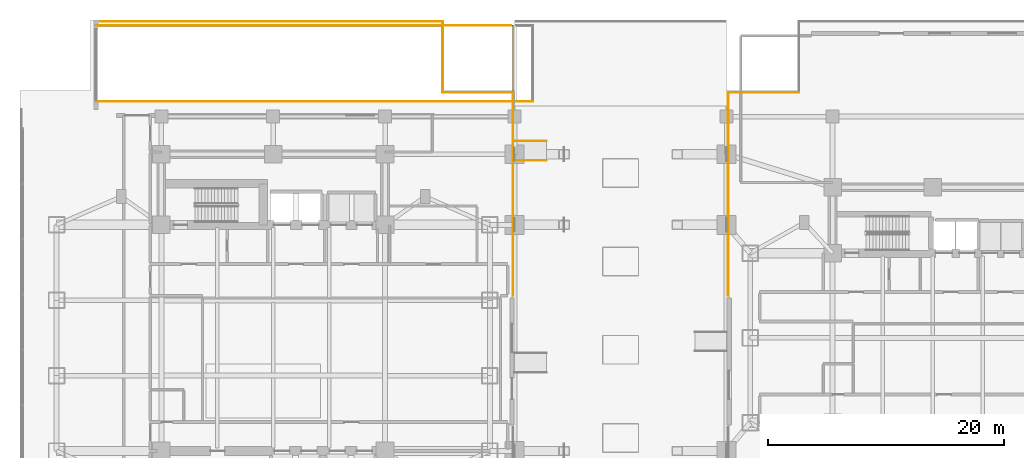
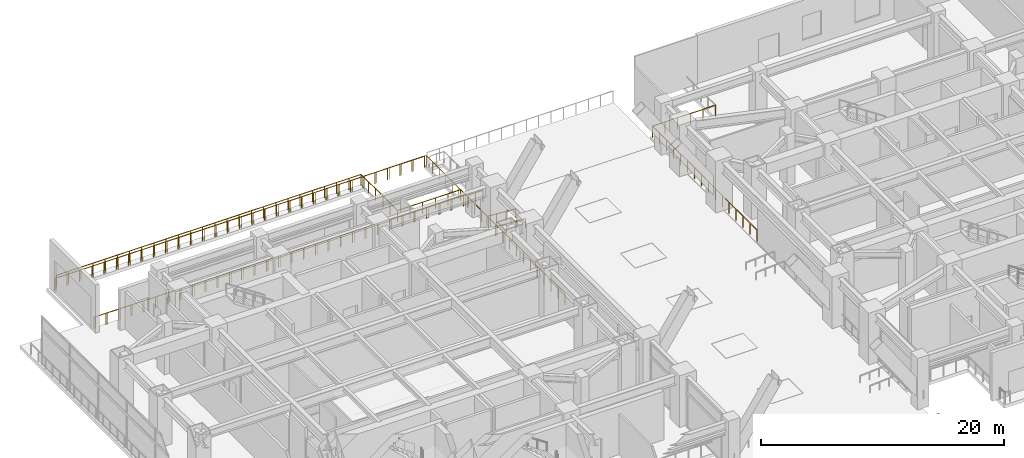
# One storey, part 21 of 27: 12 railings.
"""IFC4 building model written with IfcOpenShell, lengths in metres."""

from ifc_helpers import new_model, si_unit, direction, frame, origin, origin_2d, place, context, subcontext, project, spatial, circle, extrude, material, type_object, element, save


model = new_model("IFC4")

# Units and contexts
model_context = context("Model", 3, precision=1e-05, world=origin(), true_north=direction((0.0, 1.0)))
body_context = subcontext(model_context, "Body", "Model", "MODEL_VIEW")
ifc_project = project(units=[si_unit("LENGTHUNIT", "METRE"), si_unit("AREAUNIT", "SQUARE_METRE"), si_unit("VOLUMEUNIT", "CUBIC_METRE"), si_unit("PLANEANGLEUNIT", "RADIAN"), si_unit("MASSUNIT", "GRAM", prefix="KILO")], contexts=[model_context])

# Site, building, storey
site_placement = place(None, origin())
site = spatial("IfcSite", under=ifc_project, at=site_placement, CompositionType="ELEMENT")
building_placement = place(site_placement, origin())
building = spatial("IfcBuilding", under=site, at=building_placement, Name="Mirazonda Arch Towers", CompositionType="ELEMENT")
storey_placement = place(building_placement, origin())
storey = spatial("IfcBuildingStorey", under=building, at=storey_placement, Name="L00", CompositionType="ELEMENT", Elevation=0.0)

# Railings
ifc_material = material(Name="Architectural Brushed Steel S355", Category="steel")
railing_type_1 = type_object("IfcRailingType", Name="GUARD-EXT-1150", PredefinedType="GUARDRAIL", material=ifc_material)
railing_1_placement = place(storey_placement, frame((5.5, 48.080078125, 0.0)))
element("IfcRailing", 1, at=railing_1_placement, inside=storey, type_object=railing_type_1, Name="L00 Vehicle Ramp South Edge Guard 01", PredefinedType="GUARDRAIL", context=body_context, shape_type="SweptSolid", body=[
    extrude(circle(Radius=0.02392578125, at=origin_2d()), frame((0.0, 0.0, 1.1259765625), z_axis=(1.0, 0.0, 0.0), x_axis=(0.0, 1.0, 0.0)), (0.0, 0.0, 1.0), 35.199951171875),
    extrude(circle(Radius=0.02099609375, at=origin_2d()), origin(), (0.0, 0.0, 1.0), 1.101806640625),
    extrude(circle(Radius=0.02099609375, at=origin_2d()), frame((1.17333984375, 0.0, 0.0)), (0.0, 0.0, 1.0), 1.101806640625),
    extrude(circle(Radius=0.02099609375, at=origin_2d()), frame((2.3466796875, 0.0, 0.0)), (0.0, 0.0, 1.0), 1.101806640625),
    extrude(circle(Radius=0.02099609375, at=origin_2d()), frame((3.52001953125, 0.0, 0.0)), (0.0, 0.0, 1.0), 1.101806640625),
    extrude(circle(Radius=0.02099609375, at=origin_2d()), frame((4.693359375, 0.0, 0.0)), (0.0, 0.0, 1.0), 1.101806640625),
    extrude(circle(Radius=0.02099609375, at=origin_2d()), frame((5.86669921875, 0.0, 0.0)), (0.0, 0.0, 1.0), 1.101806640625),
    extrude(circle(Radius=0.02099609375, at=origin_2d()), frame((7.0400390625, 0.0, 0.0)), (0.0, 0.0, 1.0), 1.101806640625),
    extrude(circle(Radius=0.02099609375, at=origin_2d()), frame((8.21337890625, 0.0, 0.0)), (0.0, 0.0, 1.0), 1.101806640625),
    extrude(circle(Radius=0.02099609375, at=origin_2d()), frame((9.38671875, 0.0, 0.0)), (0.0, 0.0, 1.0), 1.101806640625),
    extrude(circle(Radius=0.02099609375, at=origin_2d()), frame((10.56005859375, 0.0, 0.0)), (0.0, 0.0, 1.0), 1.101806640625),
    extrude(circle(Radius=0.02099609375, at=origin_2d()), frame((11.7333984375, 0.0, 0.0)), (0.0, 0.0, 1.0), 1.101806640625),
    extrude(circle(Radius=0.02099609375, at=origin_2d()), frame((12.90673828125, 0.0, 0.0)), (0.0, 0.0, 1.0), 1.101806640625),
    extrude(circle(Radius=0.02099609375, at=origin_2d()), frame((14.080078125, 0.0, 0.0)), (0.0, 0.0, 1.0), 1.101806640625),
    extrude(circle(Radius=0.02099609375, at=origin_2d()), frame((15.25341796875, 0.0, 0.0)), (0.0, 0.0, 1.0), 1.101806640625),
    extrude(circle(Radius=0.02099609375, at=origin_2d()), frame((16.4267578125, 0.0, 0.0)), (0.0, 0.0, 1.0), 1.101806640625),
    extrude(circle(Radius=0.02099609375, at=origin_2d()), frame((17.60009765625, 0.0, 0.0)), (0.0, 0.0, 1.0), 1.101806640625),
    extrude(circle(Radius=0.02099609375, at=origin_2d()), frame((18.773193359375, 0.0, 0.0)), (0.0, 0.0, 1.0), 1.101806640625),
    extrude(circle(Radius=0.02099609375, at=origin_2d()), frame((19.946533203125, 0.0, 0.0)), (0.0, 0.0, 1.0), 1.101806640625),
    extrude(circle(Radius=0.02099609375, at=origin_2d()), frame((21.119873046875, 0.0, 0.0)), (0.0, 0.0, 1.0), 1.101806640625),
    extrude(circle(Radius=0.02099609375, at=origin_2d()), frame((22.293212890625, 0.0, 0.0)), (0.0, 0.0, 1.0), 1.101806640625),
    extrude(circle(Radius=0.02099609375, at=origin_2d()), frame((23.466552734375, 0.0, 0.0)), (0.0, 0.0, 1.0), 1.101806640625),
    extrude(circle(Radius=0.02099609375, at=origin_2d()), frame((24.639892578125, 0.0, 0.0)), (0.0, 0.0, 1.0), 1.101806640625),
    extrude(circle(Radius=0.02099609375, at=origin_2d()), frame((25.813232421875, 0.0, 0.0)), (0.0, 0.0, 1.0), 1.101806640625),
    extrude(circle(Radius=0.02099609375, at=origin_2d()), frame((26.986572265625, 0.0, 0.0)), (0.0, 0.0, 1.0), 1.101806640625),
    extrude(circle(Radius=0.02099609375, at=origin_2d()), frame((28.159912109375, 0.0, 0.0)), (0.0, 0.0, 1.0), 1.101806640625),
    extrude(circle(Radius=0.02099609375, at=origin_2d()), frame((29.333251953125, 0.0, 0.0)), (0.0, 0.0, 1.0), 1.101806640625),
    extrude(circle(Radius=0.02099609375, at=origin_2d()), frame((30.506591796875, 0.0, 0.0)), (0.0, 0.0, 1.0), 1.101806640625),
    extrude(circle(Radius=0.02099609375, at=origin_2d()), frame((31.679931640625, 0.0, 0.0)), (0.0, 0.0, 1.0), 1.101806640625),
    extrude(circle(Radius=0.02099609375, at=origin_2d()), frame((32.853271484375, 0.0, 0.0)), (0.0, 0.0, 1.0), 1.101806640625),
    extrude(circle(Radius=0.02099609375, at=origin_2d()), frame((34.026611328125, 0.0, 0.0)), (0.0, 0.0, 1.0), 1.101806640625),
    extrude(circle(Radius=0.02099609375, at=origin_2d()), frame((35.199951171875, 0.0, 0.0)), (0.0, 0.0, 1.0), 1.101806640625),
])
railing_2_placement = place(storey_placement, frame((5.5, 54.52001953125, 0.0)))
element("IfcRailing", 2, at=railing_2_placement, inside=storey, type_object=railing_type_1, Name="L00 Vehicle Ramp North Edge Guard 01", PredefinedType="GUARDRAIL", context=body_context, shape_type="SweptSolid", body=[
    extrude(circle(Radius=0.02392578125, at=origin_2d()), frame((0.0, 0.0, 1.1259765625), z_axis=(1.0, 0.0, 0.0), x_axis=(0.0, 1.0, 0.0)), (0.0, 0.0, 1.0), 35.199951171875),
    extrude(circle(Radius=0.02099609375, at=origin_2d()), origin(), (0.0, 0.0, 1.0), 1.101806640625),
    extrude(circle(Radius=0.02099609375, at=origin_2d()), frame((1.17333984375, 0.0, 0.0)), (0.0, 0.0, 1.0), 1.101806640625),
    extrude(circle(Radius=0.02099609375, at=origin_2d()), frame((2.3466796875, 0.0, 0.0)), (0.0, 0.0, 1.0), 1.101806640625),
    extrude(circle(Radius=0.02099609375, at=origin_2d()), frame((3.52001953125, 0.0, 0.0)), (0.0, 0.0, 1.0), 1.101806640625),
    extrude(circle(Radius=0.02099609375, at=origin_2d()), frame((4.693359375, 0.0, 0.0)), (0.0, 0.0, 1.0), 1.101806640625),
    extrude(circle(Radius=0.02099609375, at=origin_2d()), frame((5.86669921875, 0.0, 0.0)), (0.0, 0.0, 1.0), 1.101806640625),
    extrude(circle(Radius=0.02099609375, at=origin_2d()), frame((7.0400390625, 0.0, 0.0)), (0.0, 0.0, 1.0), 1.101806640625),
    extrude(circle(Radius=0.02099609375, at=origin_2d()), frame((8.21337890625, 0.0, 0.0)), (0.0, 0.0, 1.0), 1.101806640625),
    extrude(circle(Radius=0.02099609375, at=origin_2d()), frame((9.38671875, 0.0, 0.0)), (0.0, 0.0, 1.0), 1.101806640625),
    extrude(circle(Radius=0.02099609375, at=origin_2d()), frame((10.56005859375, 0.0, 0.0)), (0.0, 0.0, 1.0), 1.101806640625),
    extrude(circle(Radius=0.02099609375, at=origin_2d()), frame((11.7333984375, 0.0, 0.0)), (0.0, 0.0, 1.0), 1.101806640625),
    extrude(circle(Radius=0.02099609375, at=origin_2d()), frame((12.90673828125, 0.0, 0.0)), (0.0, 0.0, 1.0), 1.101806640625),
    extrude(circle(Radius=0.02099609375, at=origin_2d()), frame((14.080078125, 0.0, 0.0)), (0.0, 0.0, 1.0), 1.101806640625),
    extrude(circle(Radius=0.02099609375, at=origin_2d()), frame((15.25341796875, 0.0, 0.0)), (0.0, 0.0, 1.0), 1.101806640625),
    extrude(circle(Radius=0.02099609375, at=origin_2d()), frame((16.4267578125, 0.0, 0.0)), (0.0, 0.0, 1.0), 1.101806640625),
    extrude(circle(Radius=0.02099609375, at=origin_2d()), frame((17.60009765625, 0.0, 0.0)), (0.0, 0.0, 1.0), 1.101806640625),
    extrude(circle(Radius=0.02099609375, at=origin_2d()), frame((18.773193359375, 0.0, 0.0)), (0.0, 0.0, 1.0), 1.101806640625),
    extrude(circle(Radius=0.02099609375, at=origin_2d()), frame((19.946533203125, 0.0, 0.0)), (0.0, 0.0, 1.0), 1.101806640625),
    extrude(circle(Radius=0.02099609375, at=origin_2d()), frame((21.119873046875, 0.0, 0.0)), (0.0, 0.0, 1.0), 1.101806640625),
    extrude(circle(Radius=0.02099609375, at=origin_2d()), frame((22.293212890625, 0.0, 0.0)), (0.0, 0.0, 1.0), 1.101806640625),
    extrude(circle(Radius=0.02099609375, at=origin_2d()), frame((23.466552734375, 0.0, 0.0)), (0.0, 0.0, 1.0), 1.101806640625),
    extrude(circle(Radius=0.02099609375, at=origin_2d()), frame((24.639892578125, 0.0, 0.0)), (0.0, 0.0, 1.0), 1.101806640625),
    extrude(circle(Radius=0.02099609375, at=origin_2d()), frame((25.813232421875, 0.0, 0.0)), (0.0, 0.0, 1.0), 1.101806640625),
    extrude(circle(Radius=0.02099609375, at=origin_2d()), frame((26.986572265625, 0.0, 0.0)), (0.0, 0.0, 1.0), 1.101806640625),
    extrude(circle(Radius=0.02099609375, at=origin_2d()), frame((28.159912109375, 0.0, 0.0)), (0.0, 0.0, 1.0), 1.101806640625),
    extrude(circle(Radius=0.02099609375, at=origin_2d()), frame((29.333251953125, 0.0, 0.0)), (0.0, 0.0, 1.0), 1.101806640625),
    extrude(circle(Radius=0.02099609375, at=origin_2d()), frame((30.506591796875, 0.0, 0.0)), (0.0, 0.0, 1.0), 1.101806640625),
    extrude(circle(Radius=0.02099609375, at=origin_2d()), frame((31.679931640625, 0.0, 0.0)), (0.0, 0.0, 1.0), 1.101806640625),
    extrude(circle(Radius=0.02099609375, at=origin_2d()), frame((32.853271484375, 0.0, 0.0)), (0.0, 0.0, 1.0), 1.101806640625),
    extrude(circle(Radius=0.02099609375, at=origin_2d()), frame((34.026611328125, 0.0, 0.0)), (0.0, 0.0, 1.0), 1.101806640625),
    extrude(circle(Radius=0.02099609375, at=origin_2d()), frame((35.199951171875, 0.0, 0.0)), (0.0, 0.0, 1.0), 1.101806640625),
])
railing_3_placement = place(storey_placement, frame((41.14990234375, 48.080078125, -0.179931640625)))
element("IfcRailing", 3, at=railing_3_placement, inside=storey, type_object=railing_type_1, Name="L00 Vehicle Ramp Arch Slot Guard 01", PredefinedType="GUARDRAIL", context=body_context, shape_type="SweptSolid", body=[
    extrude(circle(Radius=0.02392578125, at=origin_2d()), frame((0.0, 0.0, 1.1259765625), z_axis=(1.0, 0.0, 0.0), x_axis=(0.0, 1.0, 0.0)), (0.0, 0.0, 1.0), 1.400146484375),
    extrude(circle(Radius=0.02099609375, at=origin_2d()), origin(), (0.0, 0.0, 1.0), 1.101806640625),
    extrude(circle(Radius=0.02099609375, at=origin_2d()), frame((0.7001953125, 0.0, 0.0)), (0.0, 0.0, 1.0), 1.101806640625),
    extrude(circle(Radius=0.02099609375, at=origin_2d()), frame((1.400146484375, 0.0, 0.0)), (0.0, 0.0, 1.0), 1.101806640625),
])
railing_4_placement = place(storey_placement, frame((40.860107421875, 31.60009765625, 0.0)))
element("IfcRailing", 4, at=railing_4_placement, inside=storey, type_object=railing_type_1, Name="L00 L00 Podium Edge Guard 4 01", PredefinedType="GUARDRAIL", context=body_context, shape_type="SweptSolid", body=[
    extrude(circle(Radius=0.02392578125, at=origin_2d()), frame((0.0, 0.0, 1.1259765625), z_axis=(0.0, 1.0, 0.0), x_axis=(-1.0, 0.0, 0.0)), (0.0, 0.0, 1.0), 17.260009765625),
    extrude(circle(Radius=0.02099609375, at=origin_2d()), origin(), (0.0, 0.0, 1.0), 1.101806640625),
    extrude(circle(Radius=0.02099609375, at=origin_2d()), frame((0.0, 1.150634765625, 0.0)), (0.0, 0.0, 1.0), 1.101806640625),
    extrude(circle(Radius=0.02099609375, at=origin_2d()), frame((0.0, 2.30126953125, 0.0)), (0.0, 0.0, 1.0), 1.101806640625),
    extrude(circle(Radius=0.02099609375, at=origin_2d()), frame((0.0, 3.451904296875, 0.0)), (0.0, 0.0, 1.0), 1.101806640625),
    extrude(circle(Radius=0.02099609375, at=origin_2d()), frame((0.0, 4.602783203125, 0.0)), (0.0, 0.0, 1.0), 1.101806640625),
    extrude(circle(Radius=0.02099609375, at=origin_2d()), frame((0.0, 5.75341796875, 0.0)), (0.0, 0.0, 1.0), 1.101806640625),
    extrude(circle(Radius=0.02099609375, at=origin_2d()), frame((0.0, 6.904052734375, 0.0)), (0.0, 0.0, 1.0), 1.101806640625),
    extrude(circle(Radius=0.02099609375, at=origin_2d()), frame((0.0, 8.0546875, 0.0)), (0.0, 0.0, 1.0), 1.101806640625),
    extrude(circle(Radius=0.02099609375, at=origin_2d()), frame((0.0, 9.205322265625, 0.0)), (0.0, 0.0, 1.0), 1.101806640625),
    extrude(circle(Radius=0.02099609375, at=origin_2d()), frame((0.0, 10.35595703125, 0.0)), (0.0, 0.0, 1.0), 1.101806640625),
    extrude(circle(Radius=0.02099609375, at=origin_2d()), frame((0.0, 11.506591796875, 0.0)), (0.0, 0.0, 1.0), 1.101806640625),
    extrude(circle(Radius=0.02099609375, at=origin_2d()), frame((0.0, 12.6572265625, 0.0)), (0.0, 0.0, 1.0), 1.101806640625),
    extrude(circle(Radius=0.02099609375, at=origin_2d()), frame((0.0, 13.80810546875, 0.0)), (0.0, 0.0, 1.0), 1.101806640625),
    extrude(circle(Radius=0.02099609375, at=origin_2d()), frame((0.0, 14.958740234375, 0.0)), (0.0, 0.0, 1.0), 1.101806640625),
    extrude(circle(Radius=0.02099609375, at=origin_2d()), frame((0.0, 16.109375, 0.0)), (0.0, 0.0, 1.0), 1.101806640625),
    extrude(circle(Radius=0.02099609375, at=origin_2d()), frame((0.0, 17.260009765625, 0.0)), (0.0, 0.0, 1.0), 1.101806640625),
])
railing_5_placement = place(storey_placement, frame((40.860107421875, 48.860107421875, 0.0)))
element("IfcRailing", 5, at=railing_5_placement, inside=storey, type_object=railing_type_1, Name="L00 L00 Podium Edge Guard 4 02", PredefinedType="GUARDRAIL", context=body_context, shape_type="SweptSolid", body=[
    extrude(circle(Radius=0.02392578125, at=origin_2d()), frame((0.0, 0.0, 1.1259765625), z_axis=(-1.0, 0.0, 0.0), x_axis=(0.0, -1.0, 0.0)), (0.0, 0.0, 1.0), 6.0),
    extrude(circle(Radius=0.02099609375, at=origin_2d()), origin(), (0.0, 0.0, 1.0), 1.101806640625),
    extrude(circle(Radius=0.02099609375, at=origin_2d()), frame((-1.199951171875, 0.0, 0.0)), (0.0, 0.0, 1.0), 1.101806640625),
    extrude(circle(Radius=0.02099609375, at=origin_2d()), frame((-2.39990234375, 0.0, 0.0)), (0.0, 0.0, 1.0), 1.101806640625),
    extrude(circle(Radius=0.02099609375, at=origin_2d()), frame((-3.60009765625, 0.0, 0.0)), (0.0, 0.0, 1.0), 1.101806640625),
    extrude(circle(Radius=0.02099609375, at=origin_2d()), frame((-4.800048828125, 0.0, 0.0)), (0.0, 0.0, 1.0), 1.101806640625),
    extrude(circle(Radius=0.02099609375, at=origin_2d()), frame((-6.0, 0.0, 0.0)), (0.0, 0.0, 1.0), 1.101806640625),
])
railing_6_placement = place(storey_placement, frame((34.860107421875, 48.860107421875, 0.0)))
element("IfcRailing", 6, at=railing_6_placement, inside=storey, type_object=railing_type_1, Name="L00 L00 Podium Edge Guard 4 03", PredefinedType="GUARDRAIL", context=body_context, shape_type="SweptSolid", body=[
    extrude(circle(Radius=0.02392578125, at=origin_2d()), frame((0.0, 0.0, 1.1259765625), z_axis=(0.0, 1.0, 0.0), x_axis=(-1.0, 0.0, 0.0)), (0.0, 0.0, 1.0), 6.0),
    extrude(circle(Radius=0.02099609375, at=origin_2d()), origin(), (0.0, 0.0, 1.0), 1.101806640625),
    extrude(circle(Radius=0.02099609375, at=origin_2d()), frame((0.0, 1.199951171875, 0.0)), (0.0, 0.0, 1.0), 1.101806640625),
    extrude(circle(Radius=0.02099609375, at=origin_2d()), frame((0.0, 2.39990234375, 0.0)), (0.0, 0.0, 1.0), 1.101806640625),
    extrude(circle(Radius=0.02099609375, at=origin_2d()), frame((0.0, 3.60009765625, 0.0)), (0.0, 0.0, 1.0), 1.101806640625),
    extrude(circle(Radius=0.02099609375, at=origin_2d()), frame((0.0, 4.800048828125, 0.0)), (0.0, 0.0, 1.0), 1.101806640625),
    extrude(circle(Radius=0.02099609375, at=origin_2d()), frame((0.0, 6.0, 0.0)), (0.0, 0.0, 1.0), 1.101806640625),
])
railing_7_placement = place(storey_placement, frame((34.860107421875, 54.860107421875, 0.0)))
element("IfcRailing", 7, at=railing_7_placement, inside=storey, type_object=railing_type_1, Name="L00 L00 Podium Edge Guard 4 04", PredefinedType="GUARDRAIL", context=body_context, shape_type="SweptSolid", body=[
    extrude(circle(Radius=0.02392578125, at=origin_2d()), frame((0.0, 0.0, 1.1259765625), z_axis=(-1.0, 0.0, 0.0), x_axis=(0.0, -1.0, 0.0)), (0.0, 0.0, 1.0), 29.010009765625),
    extrude(circle(Radius=0.02099609375, at=origin_2d()), origin(), (0.0, 0.0, 1.0), 1.101806640625),
    extrude(circle(Radius=0.02099609375, at=origin_2d()), frame((-1.160400390625, 0.0, 0.0)), (0.0, 0.0, 1.0), 1.101806640625),
    extrude(circle(Radius=0.02099609375, at=origin_2d()), frame((-2.32080078125, 0.0, 0.0)), (0.0, 0.0, 1.0), 1.101806640625),
    extrude(circle(Radius=0.02099609375, at=origin_2d()), frame((-3.481201171875, 0.0, 0.0)), (0.0, 0.0, 1.0), 1.101806640625),
    extrude(circle(Radius=0.02099609375, at=origin_2d()), frame((-4.6416015625, 0.0, 0.0)), (0.0, 0.0, 1.0), 1.101806640625),
    extrude(circle(Radius=0.02099609375, at=origin_2d()), frame((-5.802001953125, 0.0, 0.0)), (0.0, 0.0, 1.0), 1.101806640625),
    extrude(circle(Radius=0.02099609375, at=origin_2d()), frame((-6.96240234375, 0.0, 0.0)), (0.0, 0.0, 1.0), 1.101806640625),
    extrude(circle(Radius=0.02099609375, at=origin_2d()), frame((-8.122802734375, 0.0, 0.0)), (0.0, 0.0, 1.0), 1.101806640625),
    extrude(circle(Radius=0.02099609375, at=origin_2d()), frame((-9.283203125, 0.0, 0.0)), (0.0, 0.0, 1.0), 1.101806640625),
    extrude(circle(Radius=0.02099609375, at=origin_2d()), frame((-10.443603515625, 0.0, 0.0)), (0.0, 0.0, 1.0), 1.101806640625),
    extrude(circle(Radius=0.02099609375, at=origin_2d()), frame((-11.60400390625, 0.0, 0.0)), (0.0, 0.0, 1.0), 1.101806640625),
    extrude(circle(Radius=0.02099609375, at=origin_2d()), frame((-12.764404296875, 0.0, 0.0)), (0.0, 0.0, 1.0), 1.101806640625),
    extrude(circle(Radius=0.02099609375, at=origin_2d()), frame((-13.9248046875, 0.0, 0.0)), (0.0, 0.0, 1.0), 1.101806640625),
    extrude(circle(Radius=0.02099609375, at=origin_2d()), frame((-15.085205078125, 0.0, 0.0)), (0.0, 0.0, 1.0), 1.101806640625),
    extrude(circle(Radius=0.02099609375, at=origin_2d()), frame((-16.24560546875, 0.0, 0.0)), (0.0, 0.0, 1.0), 1.101806640625),
    extrude(circle(Radius=0.02099609375, at=origin_2d()), frame((-17.406005859375, 0.0, 0.0)), (0.0, 0.0, 1.0), 1.101806640625),
    extrude(circle(Radius=0.02099609375, at=origin_2d()), frame((-18.56640625, 0.0, 0.0)), (0.0, 0.0, 1.0), 1.101806640625),
    extrude(circle(Radius=0.02099609375, at=origin_2d()), frame((-19.726806640625, 0.0, 0.0)), (0.0, 0.0, 1.0), 1.101806640625),
    extrude(circle(Radius=0.02099609375, at=origin_2d()), frame((-20.88720703125, 0.0, 0.0)), (0.0, 0.0, 1.0), 1.101806640625),
    extrude(circle(Radius=0.02099609375, at=origin_2d()), frame((-22.047607421875, 0.0, 0.0)), (0.0, 0.0, 1.0), 1.101806640625),
    extrude(circle(Radius=0.02099609375, at=origin_2d()), frame((-23.2080078125, 0.0, 0.0)), (0.0, 0.0, 1.0), 1.101806640625),
    extrude(circle(Radius=0.02099609375, at=origin_2d()), frame((-24.368408203125, 0.0, 0.0)), (0.0, 0.0, 1.0), 1.101806640625),
    extrude(circle(Radius=0.02099609375, at=origin_2d()), frame((-25.52880859375, 0.0, 0.0)), (0.0, 0.0, 1.0), 1.101806640625),
    extrude(circle(Radius=0.02099609375, at=origin_2d()), frame((-26.689208984375, 0.0, 0.0)), (0.0, 0.0, 1.0), 1.101806640625),
    extrude(circle(Radius=0.02099609375, at=origin_2d()), frame((-27.849609375, 0.0, 0.0)), (0.0, 0.0, 1.0), 1.101806640625),
    extrude(circle(Radius=0.02099609375, at=origin_2d()), frame((-29.010009765625, 0.0, 0.0)), (0.0, 0.0, 1.0), 1.101806640625),
])
railing_8_placement = place(storey_placement, frame((65.139892578125, 48.860107421875, 0.0)))
element("IfcRailing", 8, at=railing_8_placement, inside=storey, type_object=railing_type_1, Name="L00 L00 Podium Edge Guard 10 06", PredefinedType="GUARDRAIL", context=body_context, shape_type="SweptSolid", body=[
    extrude(circle(Radius=0.02392578125, at=origin_2d()), frame((0.0, 0.0, 1.1259765625), z_axis=(-1.0, 0.0, 0.0), x_axis=(0.0, -1.0, 0.0)), (0.0, 0.0, 1.0), 6.0),
    extrude(circle(Radius=0.02099609375, at=origin_2d()), origin(), (0.0, 0.0, 1.0), 1.101806640625),
    extrude(circle(Radius=0.02099609375, at=origin_2d()), frame((-1.199951171875, 0.0, 0.0)), (0.0, 0.0, 1.0), 1.101806640625),
    extrude(circle(Radius=0.02099609375, at=origin_2d()), frame((-2.39990234375, 0.0, 0.0)), (0.0, 0.0, 1.0), 1.101806640625),
    extrude(circle(Radius=0.02099609375, at=origin_2d()), frame((-3.60009765625, 0.0, 0.0)), (0.0, 0.0, 1.0), 1.101806640625),
    extrude(circle(Radius=0.02099609375, at=origin_2d()), frame((-4.800048828125, 0.0, 0.0)), (0.0, 0.0, 1.0), 1.101806640625),
    extrude(circle(Radius=0.02099609375, at=origin_2d()), frame((-6.0, 0.0, 0.0)), (0.0, 0.0, 1.0), 1.101806640625),
])
railing_9_placement = place(storey_placement, frame((59.139892578125, 48.860107421875, 0.0)))
element("IfcRailing", 9, at=railing_9_placement, inside=storey, type_object=railing_type_1, Name="L00 L00 Podium Edge Guard 10 07", PredefinedType="GUARDRAIL", context=body_context, shape_type="SweptSolid", body=[
    extrude(circle(Radius=0.02392578125, at=origin_2d()), frame((0.0, 0.0, 1.1259765625), z_axis=(0.0, -1.0, 0.0), x_axis=(1.0, 0.0, 0.0)), (0.0, 0.0, 1.0), 17.260009765625),
    extrude(circle(Radius=0.02099609375, at=origin_2d()), origin(), (0.0, 0.0, 1.0), 1.101806640625),
    extrude(circle(Radius=0.02099609375, at=origin_2d()), frame((0.0, -1.150634765625, 0.0)), (0.0, 0.0, 1.0), 1.101806640625),
    extrude(circle(Radius=0.02099609375, at=origin_2d()), frame((0.0, -2.30126953125, 0.0)), (0.0, 0.0, 1.0), 1.101806640625),
    extrude(circle(Radius=0.02099609375, at=origin_2d()), frame((0.0, -3.451904296875, 0.0)), (0.0, 0.0, 1.0), 1.101806640625),
    extrude(circle(Radius=0.02099609375, at=origin_2d()), frame((0.0, -4.602783203125, 0.0)), (0.0, 0.0, 1.0), 1.101806640625),
    extrude(circle(Radius=0.02099609375, at=origin_2d()), frame((0.0, -5.75341796875, 0.0)), (0.0, 0.0, 1.0), 1.101806640625),
    extrude(circle(Radius=0.02099609375, at=origin_2d()), frame((0.0, -6.904052734375, 0.0)), (0.0, 0.0, 1.0), 1.101806640625),
    extrude(circle(Radius=0.02099609375, at=origin_2d()), frame((0.0, -8.0546875, 0.0)), (0.0, 0.0, 1.0), 1.101806640625),
    extrude(circle(Radius=0.02099609375, at=origin_2d()), frame((0.0, -9.205322265625, 0.0)), (0.0, 0.0, 1.0), 1.101806640625),
    extrude(circle(Radius=0.02099609375, at=origin_2d()), frame((0.0, -10.35595703125, 0.0)), (0.0, 0.0, 1.0), 1.101806640625),
    extrude(circle(Radius=0.02099609375, at=origin_2d()), frame((0.0, -11.506591796875, 0.0)), (0.0, 0.0, 1.0), 1.101806640625),
    extrude(circle(Radius=0.02099609375, at=origin_2d()), frame((0.0, -12.6572265625, 0.0)), (0.0, 0.0, 1.0), 1.101806640625),
    extrude(circle(Radius=0.02099609375, at=origin_2d()), frame((0.0, -13.80810546875, 0.0)), (0.0, 0.0, 1.0), 1.101806640625),
    extrude(circle(Radius=0.02099609375, at=origin_2d()), frame((0.0, -14.958740234375, 0.0)), (0.0, 0.0, 1.0), 1.101806640625),
    extrude(circle(Radius=0.02099609375, at=origin_2d()), frame((0.0, -16.109375, 0.0)), (0.0, 0.0, 1.0), 1.101806640625),
    extrude(circle(Radius=0.02099609375, at=origin_2d()), frame((0.0, -17.260009765625, 0.0)), (0.0, 0.0, 1.0), 1.101806640625),
])
railing_10_placement = place(storey_placement, frame((5.64990234375, 48.080078125, 0.0)))
element("IfcRailing", 10, at=railing_10_placement, inside=storey, type_object=railing_type_1, Name="L00 Vehicle Ramp Deck Opening Guard", PredefinedType="GUARDRAIL", context=body_context, shape_type="SweptSolid", body=[
    extrude(circle(Radius=0.02392578125, at=origin_2d()), frame((0.0, 0.0, 1.1259765625), z_axis=(1.0, 0.0, 0.0), x_axis=(0.0, 1.0, 0.0)), (0.0, 0.0, 1.0), 35.210205078125),
    extrude(circle(Radius=0.02392578125, at=origin_2d()), frame((35.210205078125, 0.0, 1.1259765625), z_axis=(0.0, 1.0, 0.0), x_axis=(-1.0, 0.0, 0.0)), (0.0, 0.0, 1.0), 6.43994140625),
    extrude(circle(Radius=0.02392578125, at=origin_2d()), frame((35.210205078125, 6.43994140625, 1.1259765625), z_axis=(-1.0, 0.0, 0.0), x_axis=(0.0, -1.0, 0.0)), (0.0, 0.0, 1.0), 35.210205078125),
    extrude(circle(Radius=0.02099609375, at=origin_2d()), origin(), (0.0, 0.0, 1.0), 1.101806640625),
    extrude(circle(Radius=0.02099609375, at=origin_2d()), frame((1.173583984375, 0.0, 0.0)), (0.0, 0.0, 1.0), 1.101806640625),
    extrude(circle(Radius=0.02099609375, at=origin_2d()), frame((2.347412109375, 0.0, 0.0)), (0.0, 0.0, 1.0), 1.101806640625),
    extrude(circle(Radius=0.02099609375, at=origin_2d()), frame((3.52099609375, 0.0, 0.0)), (0.0, 0.0, 1.0), 1.101806640625),
    extrude(circle(Radius=0.02099609375, at=origin_2d()), frame((4.694580078125, 0.0, 0.0)), (0.0, 0.0, 1.0), 1.101806640625),
    extrude(circle(Radius=0.02099609375, at=origin_2d()), frame((5.868408203125, 0.0, 0.0)), (0.0, 0.0, 1.0), 1.101806640625),
    extrude(circle(Radius=0.02099609375, at=origin_2d()), frame((7.0419921875, 0.0, 0.0)), (0.0, 0.0, 1.0), 1.101806640625),
    extrude(circle(Radius=0.02099609375, at=origin_2d()), frame((8.2158203125, 0.0, 0.0)), (0.0, 0.0, 1.0), 1.101806640625),
    extrude(circle(Radius=0.02099609375, at=origin_2d()), frame((9.389404296875, 0.0, 0.0)), (0.0, 0.0, 1.0), 1.101806640625),
    extrude(circle(Radius=0.02099609375, at=origin_2d()), frame((10.56298828125, 0.0, 0.0)), (0.0, 0.0, 1.0), 1.101806640625),
    extrude(circle(Radius=0.02099609375, at=origin_2d()), frame((11.73681640625, 0.0, 0.0)), (0.0, 0.0, 1.0), 1.101806640625),
    extrude(circle(Radius=0.02099609375, at=origin_2d()), frame((12.910400390625, 0.0, 0.0)), (0.0, 0.0, 1.0), 1.101806640625),
    extrude(circle(Radius=0.02099609375, at=origin_2d()), frame((14.083984375, 0.0, 0.0)), (0.0, 0.0, 1.0), 1.101806640625),
    extrude(circle(Radius=0.02099609375, at=origin_2d()), frame((15.2578125, 0.0, 0.0)), (0.0, 0.0, 1.0), 1.101806640625),
    extrude(circle(Radius=0.02099609375, at=origin_2d()), frame((16.431396484375, 0.0, 0.0)), (0.0, 0.0, 1.0), 1.101806640625),
    extrude(circle(Radius=0.02099609375, at=origin_2d()), frame((17.60498046875, 0.0, 0.0)), (0.0, 0.0, 1.0), 1.101806640625),
    extrude(circle(Radius=0.02099609375, at=origin_2d()), frame((18.77880859375, 0.0, 0.0)), (0.0, 0.0, 1.0), 1.101806640625),
    extrude(circle(Radius=0.02099609375, at=origin_2d()), frame((19.952392578125, 0.0, 0.0)), (0.0, 0.0, 1.0), 1.101806640625),
    extrude(circle(Radius=0.02099609375, at=origin_2d()), frame((21.126220703125, 0.0, 0.0)), (0.0, 0.0, 1.0), 1.101806640625),
    extrude(circle(Radius=0.02099609375, at=origin_2d()), frame((22.2998046875, 0.0, 0.0)), (0.0, 0.0, 1.0), 1.101806640625),
    extrude(circle(Radius=0.02099609375, at=origin_2d()), frame((23.473388671875, 0.0, 0.0)), (0.0, 0.0, 1.0), 1.101806640625),
    extrude(circle(Radius=0.02099609375, at=origin_2d()), frame((24.647216796875, 0.0, 0.0)), (0.0, 0.0, 1.0), 1.101806640625),
    extrude(circle(Radius=0.02099609375, at=origin_2d()), frame((25.82080078125, 0.0, 0.0)), (0.0, 0.0, 1.0), 1.101806640625),
    extrude(circle(Radius=0.02099609375, at=origin_2d()), frame((26.994384765625, 0.0, 0.0)), (0.0, 0.0, 1.0), 1.101806640625),
    extrude(circle(Radius=0.02099609375, at=origin_2d()), frame((28.168212890625, 0.0, 0.0)), (0.0, 0.0, 1.0), 1.101806640625),
    extrude(circle(Radius=0.02099609375, at=origin_2d()), frame((29.341796875, 0.0, 0.0)), (0.0, 0.0, 1.0), 1.101806640625),
    extrude(circle(Radius=0.02099609375, at=origin_2d()), frame((30.515625, 0.0, 0.0)), (0.0, 0.0, 1.0), 1.101806640625),
    extrude(circle(Radius=0.02099609375, at=origin_2d()), frame((31.689208984375, 0.0, 0.0)), (0.0, 0.0, 1.0), 1.101806640625),
    extrude(circle(Radius=0.02099609375, at=origin_2d()), frame((32.86279296875, 0.0, 0.0)), (0.0, 0.0, 1.0), 1.101806640625),
    extrude(circle(Radius=0.02099609375, at=origin_2d()), frame((34.03662109375, 0.0, 0.0)), (0.0, 0.0, 1.0), 1.101806640625),
    extrude(circle(Radius=0.02099609375, at=origin_2d()), frame((35.210205078125, 0.0, 0.0)), (0.0, 0.0, 1.0), 1.101806640625),
    extrude(circle(Radius=0.02099609375, at=origin_2d()), frame((35.210205078125, 1.0732421875, 0.0)), (0.0, 0.0, 1.0), 1.101806640625),
    extrude(circle(Radius=0.02099609375, at=origin_2d()), frame((35.210205078125, 2.146728515625, 0.0)), (0.0, 0.0, 1.0), 1.101806640625),
    extrude(circle(Radius=0.02099609375, at=origin_2d()), frame((35.210205078125, 3.219970703125, 0.0)), (0.0, 0.0, 1.0), 1.101806640625),
    extrude(circle(Radius=0.02099609375, at=origin_2d()), frame((35.210205078125, 4.293212890625, 0.0)), (0.0, 0.0, 1.0), 1.101806640625),
    extrude(circle(Radius=0.02099609375, at=origin_2d()), frame((35.210205078125, 5.36669921875, 0.0)), (0.0, 0.0, 1.0), 1.101806640625),
    extrude(circle(Radius=0.02099609375, at=origin_2d()), frame((35.210205078125, 6.43994140625, 0.0)), (0.0, 0.0, 1.0), 1.101806640625),
    extrude(circle(Radius=0.02099609375, at=origin_2d()), frame((34.03662109375, 6.43994140625, 0.0)), (0.0, 0.0, 1.0), 1.101806640625),
    extrude(circle(Radius=0.02099609375, at=origin_2d()), frame((32.86279296875, 6.43994140625, 0.0)), (0.0, 0.0, 1.0), 1.101806640625),
    extrude(circle(Radius=0.02099609375, at=origin_2d()), frame((31.689208984375, 6.43994140625, 0.0)), (0.0, 0.0, 1.0), 1.101806640625),
    extrude(circle(Radius=0.02099609375, at=origin_2d()), frame((30.515625, 6.43994140625, 0.0)), (0.0, 0.0, 1.0), 1.101806640625),
    extrude(circle(Radius=0.02099609375, at=origin_2d()), frame((29.341796875, 6.43994140625, 0.0)), (0.0, 0.0, 1.0), 1.101806640625),
    extrude(circle(Radius=0.02099609375, at=origin_2d()), frame((28.168212890625, 6.43994140625, 0.0)), (0.0, 0.0, 1.0), 1.101806640625),
    extrude(circle(Radius=0.02099609375, at=origin_2d()), frame((26.994384765625, 6.43994140625, 0.0)), (0.0, 0.0, 1.0), 1.101806640625),
    extrude(circle(Radius=0.02099609375, at=origin_2d()), frame((25.82080078125, 6.43994140625, 0.0)), (0.0, 0.0, 1.0), 1.101806640625),
    extrude(circle(Radius=0.02099609375, at=origin_2d()), frame((24.647216796875, 6.43994140625, 0.0)), (0.0, 0.0, 1.0), 1.101806640625),
    extrude(circle(Radius=0.02099609375, at=origin_2d()), frame((23.473388671875, 6.43994140625, 0.0)), (0.0, 0.0, 1.0), 1.101806640625),
    extrude(circle(Radius=0.02099609375, at=origin_2d()), frame((22.2998046875, 6.43994140625, 0.0)), (0.0, 0.0, 1.0), 1.101806640625),
    extrude(circle(Radius=0.02099609375, at=origin_2d()), frame((21.126220703125, 6.43994140625, 0.0)), (0.0, 0.0, 1.0), 1.101806640625),
    extrude(circle(Radius=0.02099609375, at=origin_2d()), frame((19.952392578125, 6.43994140625, 0.0)), (0.0, 0.0, 1.0), 1.101806640625),
    extrude(circle(Radius=0.02099609375, at=origin_2d()), frame((18.77880859375, 6.43994140625, 0.0)), (0.0, 0.0, 1.0), 1.101806640625),
    extrude(circle(Radius=0.02099609375, at=origin_2d()), frame((17.60498046875, 6.43994140625, 0.0)), (0.0, 0.0, 1.0), 1.101806640625),
    extrude(circle(Radius=0.02099609375, at=origin_2d()), frame((16.431396484375, 6.43994140625, 0.0)), (0.0, 0.0, 1.0), 1.101806640625),
    extrude(circle(Radius=0.02099609375, at=origin_2d()), frame((15.2578125, 6.43994140625, 0.0)), (0.0, 0.0, 1.0), 1.101806640625),
    extrude(circle(Radius=0.02099609375, at=origin_2d()), frame((14.083984375, 6.43994140625, 0.0)), (0.0, 0.0, 1.0), 1.101806640625),
    extrude(circle(Radius=0.02099609375, at=origin_2d()), frame((12.910400390625, 6.43994140625, 0.0)), (0.0, 0.0, 1.0), 1.101806640625),
    extrude(circle(Radius=0.02099609375, at=origin_2d()), frame((11.73681640625, 6.43994140625, 0.0)), (0.0, 0.0, 1.0), 1.101806640625),
    extrude(circle(Radius=0.02099609375, at=origin_2d()), frame((10.56298828125, 6.43994140625, 0.0)), (0.0, 0.0, 1.0), 1.101806640625),
    extrude(circle(Radius=0.02099609375, at=origin_2d()), frame((9.389404296875, 6.43994140625, 0.0)), (0.0, 0.0, 1.0), 1.101806640625),
    extrude(circle(Radius=0.02099609375, at=origin_2d()), frame((8.2158203125, 6.43994140625, 0.0)), (0.0, 0.0, 1.0), 1.101806640625),
    extrude(circle(Radius=0.02099609375, at=origin_2d()), frame((7.0419921875, 6.43994140625, 0.0)), (0.0, 0.0, 1.0), 1.101806640625),
    extrude(circle(Radius=0.02099609375, at=origin_2d()), frame((5.868408203125, 6.43994140625, 0.0)), (0.0, 0.0, 1.0), 1.101806640625),
    extrude(circle(Radius=0.02099609375, at=origin_2d()), frame((4.694580078125, 6.43994140625, 0.0)), (0.0, 0.0, 1.0), 1.101806640625),
    extrude(circle(Radius=0.02099609375, at=origin_2d()), frame((3.52099609375, 6.43994140625, 0.0)), (0.0, 0.0, 1.0), 1.101806640625),
    extrude(circle(Radius=0.02099609375, at=origin_2d()), frame((2.347412109375, 6.43994140625, 0.0)), (0.0, 0.0, 1.0), 1.101806640625),
    extrude(circle(Radius=0.02099609375, at=origin_2d()), frame((1.173583984375, 6.43994140625, 0.0)), (0.0, 0.0, 1.0), 1.101806640625),
    extrude(circle(Radius=0.02099609375, at=origin_2d()), frame((0.0, 6.43994140625, 0.0)), (0.0, 0.0, 1.0), 1.101806640625),
])
railing_type_2 = type_object("IfcRailingType", Name="HANDRAIL-RAMP-915", PredefinedType="HANDRAIL", material=ifc_material)
for number, where, name in (
    (11, (43.699951171875, 43.080078125, -0.179931640625), "Accessible Ramp Handrail PED-W3-L"),
    (12, (43.699951171875, 44.719970703125, -0.179931640625), "Accessible Ramp Handrail PED-W3-R"),
):
    element("IfcRailing", number, at=place(storey_placement, frame(where)), inside=storey, type_object=railing_type_2, Name=name, PredefinedType="HANDRAIL", context=body_context, shape_type="SweptSolid", body=[
        extrude(circle(Radius=0.02392578125, at=origin_2d()), frame((0.0, 0.0, 0.89111328125), z_axis=(-0.997786754453, 0.0, 0.066495057241), x_axis=(0.0, -1.0, 0.0)), (0.0, 0.0, 1.0), 2.7060546875),
        extrude(circle(Radius=0.02099609375, at=origin_2d()), origin(), (0.0, 0.0, 1.0), 0.866943359375),
        extrude(circle(Radius=0.02099609375, at=origin_2d()), frame((-0.89990234375, 0.0, 0.06005859375)), (0.0, 0.0, 1.0), 0.866943359375),
        extrude(circle(Radius=0.02099609375, at=origin_2d()), frame((-1.800048828125, 0.0, 0.119873046875)), (0.0, 0.0, 1.0), 0.866943359375),
        extrude(circle(Radius=0.02099609375, at=origin_2d()), frame((-2.699951171875, 0.0, 0.179931640625)), (0.0, 0.0, 1.0), 0.866943359375),
    ])

save(model, "model.ifc")
